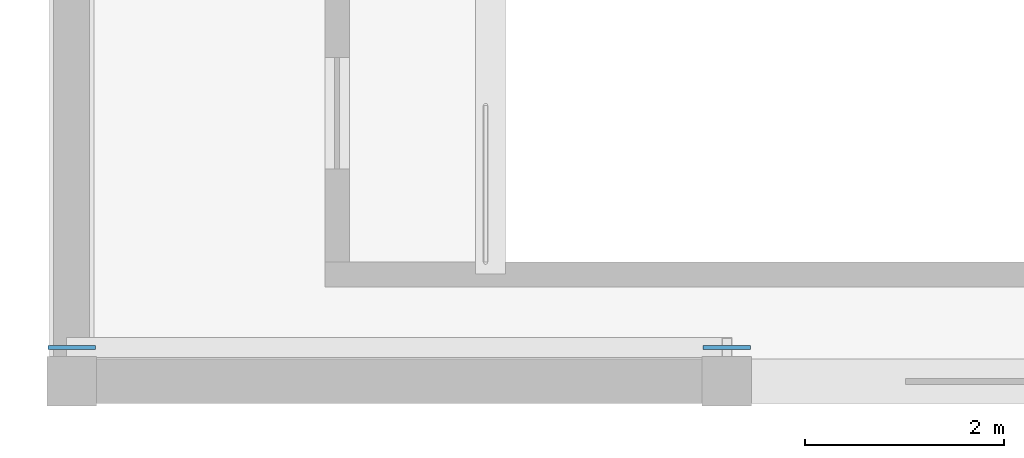
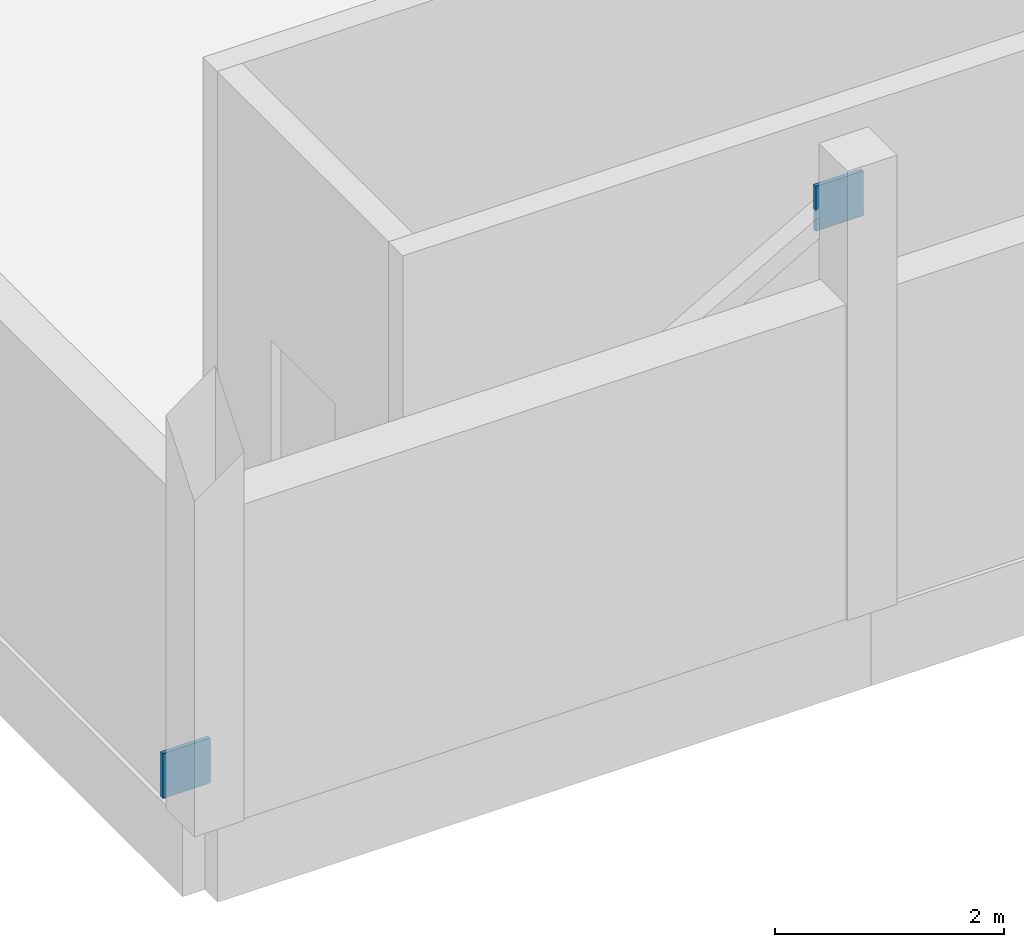
# One storey, part 59 of 101: 2 plates.
"""IFC4 building model written with IfcOpenShell, lengths in metres."""

from ifc_helpers import new_model, si_unit, direction, frame, origin, origin_2d, place, context, subcontext, project, spatial, rectangle, extrude, material, layer, layer_set, type_object, element, save


model = new_model("IFC4")

# Units and contexts
model_context = context("Model", 3, precision=1e-05, world=origin(), true_north=direction((0.0, 1.0)))
body_context = subcontext(model_context, "Body", "Model", "MODEL_VIEW")
ifc_project = project(units=[si_unit("LENGTHUNIT", "METRE"), si_unit("AREAUNIT", "SQUARE_METRE"), si_unit("VOLUMEUNIT", "CUBIC_METRE"), si_unit("PLANEANGLEUNIT", "RADIAN"), si_unit("MASSUNIT", "GRAM", prefix="KILO")], contexts=[model_context])

# Site, building, storey
site_placement = place(None, origin())
site = spatial("IfcSite", under=ifc_project, at=site_placement, CompositionType="ELEMENT")
building_placement = place(site_placement, origin())
building = spatial("IfcBuilding", under=site, at=building_placement, Name="Dornvale Research Institute", CompositionType="ELEMENT")
storey_placement = place(building_placement, frame((0.0, 0.0, 10.199951171875)))
storey = spatial("IfcBuildingStorey", under=building, at=storey_placement, Name="L02", CompositionType="ELEMENT", Elevation=10.199951171875)

# Plates
ifc_material = material(Name="Steel ASTM A572 Grade 50", Category="steel")
ifc_layer = layer(ifc_material, 0.0400390625)
ifc_layer_set = layer_set([ifc_layer], Name="Steel ASTM A572 Grade 50")
plate_type = type_object("IfcPlateType", Name="SheetPlate_Base_40", PredefinedType="SHEET", material=ifc_layer_set)
for number, where, z_axis, x_axis, name in (
    (1, (0.0, 0.340087890625, 0.06005859375), (0.0, 0.0, 1.0), (1.0, 0.0, 0.0), "HSS brace node gusset and cap plate ND-075"),
    (2, (6.60009765625, 0.340087890625, 3.81005859375), (0.0, 0.0, 1.0), (1.0, 0.0, 0.0), "HSS brace node gusset and cap plate ND-076"),
):
    element("IfcPlate", number, at=place(storey_placement, frame(where, z_axis=z_axis, x_axis=x_axis)), inside=storey, type_object=plate_type, Name=name, PredefinedType="SHEET", context=body_context, shape_type="SweptSolid", body=[
        extrude(rectangle(XDim=0.47998046875, YDim=0.0400390625, at=origin_2d()), origin(), (0.0, 0.0, 1.0), 0.47998046875),
    ])

save(model, "model.ifc")
